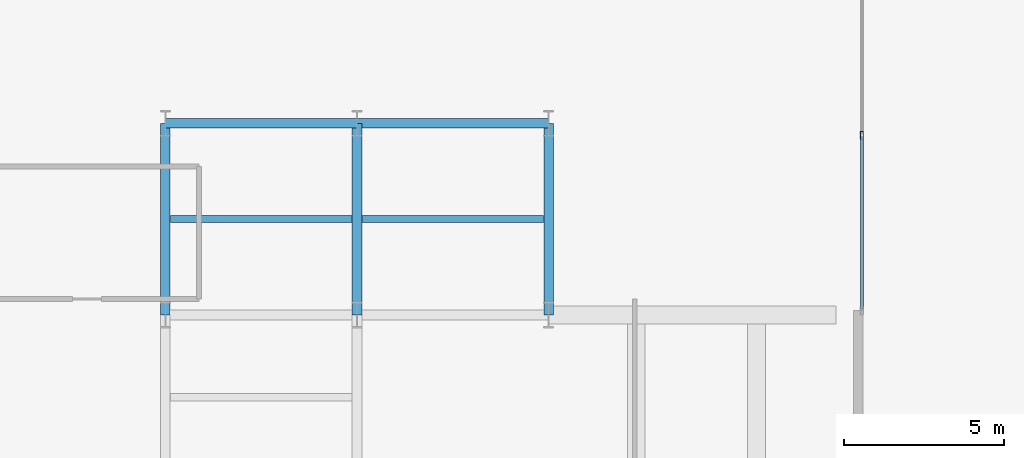
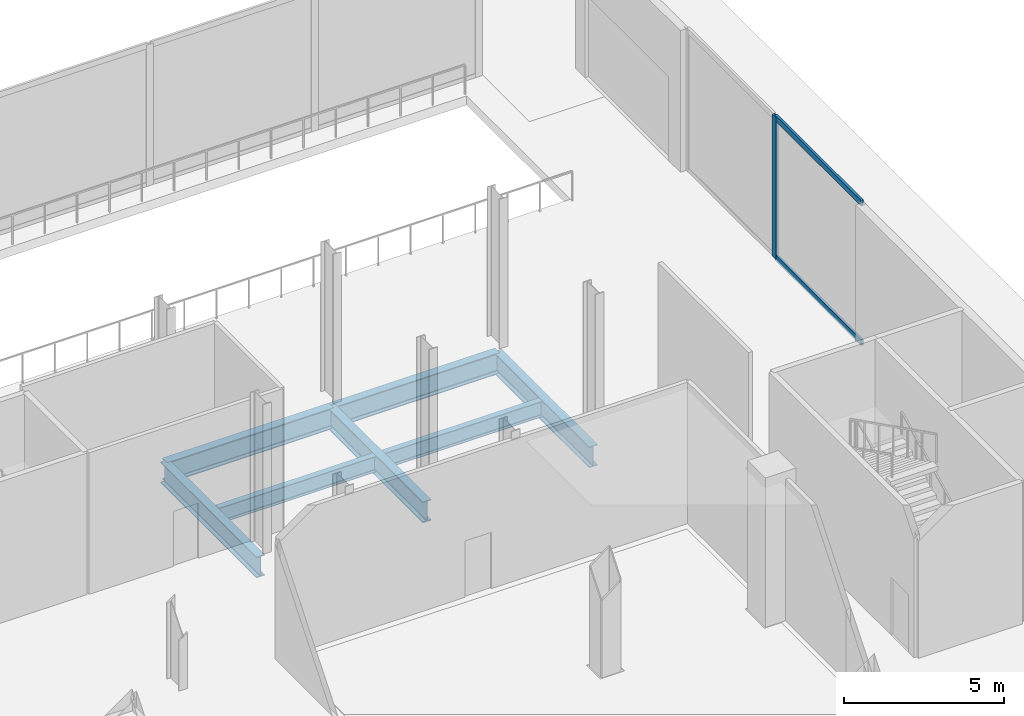
# One storey, part 13 of 27: 7 beams, 3 members, 1 element without a shape of its own.
"""IFC4 building model written with IfcOpenShell, lengths in metres."""

from ifc_helpers import new_model, si_unit, direction, frame, origin, origin_2d, place, context, subcontext, project, spatial, hollow_rectangle, i_section, extrude, material, layer, layer_set, material_profile, profile_set, type_object, element, aggregate, save


model = new_model("IFC4")

# Units and contexts
model_context = context("Model", 3, precision=1e-05, world=origin(), true_north=direction((0.0, 1.0)))
body_context = subcontext(model_context, "Body", "Model", "MODEL_VIEW")
ifc_project = project(units=[si_unit("LENGTHUNIT", "METRE"), si_unit("AREAUNIT", "SQUARE_METRE"), si_unit("VOLUMEUNIT", "CUBIC_METRE"), si_unit("PLANEANGLEUNIT", "RADIAN"), si_unit("MASSUNIT", "GRAM", prefix="KILO"), si_unit("THERMODYNAMICTEMPERATUREUNIT", "KELVIN"), si_unit("POWERUNIT", "WATT")], contexts=[model_context])

# Site, building, storey
site_placement = place(None, origin())
site = spatial("IfcSite", under=ifc_project, at=site_placement, CompositionType="ELEMENT")
building_placement = place(site_placement, origin())
building = spatial("IfcBuilding", under=site, at=building_placement, Name="Svarakhadi Broadcast Tower", CompositionType="ELEMENT")
storey_placement = place(building_placement, origin())
storey = spatial("IfcBuildingStorey", under=building, at=storey_placement, Name="L00", CompositionType="ELEMENT", Elevation=0.0)

# Beams
ifc_material_1 = material(Name="Steel S355J2 (IS 2062 E350C)", Category="steel")
ifc_material_profile_1 = material_profile(ifc_material_1, i_section(OverallWidth=0.219970703125, OverallDepth=0.60009765625, WebThickness=0.011962890625, FlangeThickness=0.01904296875, FilletRadius=0.02392578125, at=origin_2d()), Name="NPB 600x220x122")
ifc_profile_set_1 = profile_set([ifc_material_profile_1], Name="Steel S355J2 (IS 2062 E350C)")
beam_type_1 = type_object("IfcBeamType", Name="Beam_NPB600", PredefinedType="BEAM", material=ifc_profile_set_1)
for number, where, z_axis, x_axis, name in (
    (1, (41.31005859375, 32.14990234375, -0.64990234375), (1.0, 0.0, 0.0), (0.0, 1.0, 0.0), "L00 Secondary Composite Beam SB028"),
    (2, (47.31005859375, 32.14990234375, -0.64990234375), (1.0, 0.0, 0.0), (0.0, 1.0, 0.0), "L00 Secondary Composite Beam SB030"),
):
    element("IfcBeam", number, at=place(storey_placement, frame(where, z_axis=z_axis, x_axis=x_axis)), inside=storey, type_object=beam_type_1, Name=name, PredefinedType="BEAM", context=body_context, shape_type="SweptSolid", body=[
        extrude(i_section(OverallWidth=0.219970703125, OverallDepth=0.60009765625, WebThickness=0.011962890625, FlangeThickness=0.01904296875, FilletRadius=0.02392578125, at=origin_2d()), origin(), (0.0, 0.0, 1.0), 5.679931640625),
    ])

# Curtain wall, members
ifc_material_2 = material(Name="Anodised Bronze Aluminium AA 6063-T6", Category="aluminium")
ifc_layer = layer(ifc_material_2, 0.25)
ifc_layer_set = layer_set([ifc_layer], Name="Anodised Bronze Aluminium AA 6063-T6")
curtain_wall_type = type_object("IfcCurtainWallType", Name="CW_Sys_01", PredefinedType="NOTDEFINED", material=ifc_layer_set)
curtain_wall_placement = place(storey_placement, origin())
curtain_wall = element("IfcCurtainWall", 3, at=curtain_wall_placement, inside=storey, type_object=curtain_wall_type, Name="L00 Podium Glazed Curtain Wall 03", PredefinedType="NOTDEFINED")
ifc_material_profile_2 = material_profile(ifc_material_2, hollow_rectangle(XDim=0.094970703125, YDim=0.25, WallThickness=0.006103515625, at=origin_2d()), Name="ALU MULLION 250x95x6")
ifc_profile_set_2 = profile_set([ifc_material_profile_2], Name="Anodised Bronze Aluminium AA 6063-T6")
member_type_1 = type_object("IfcMemberType", Name="CW_Sys_01_Mul", PredefinedType="MULLION", material=ifc_profile_set_2)
member_1_placement = place(storey_placement, frame((62.9599609375, 34.77490234375, 0.0), z_axis=(0.0, 0.0, 1.0), x_axis=(1.0, 0.0, 0.0)))
member_1 = element("IfcMember", 4, at=member_1_placement, type_object=member_type_1, Name="CW-01 mullion 2", PredefinedType="MULLION", context=body_context, shape_type="SweptSolid", body=[
    extrude(hollow_rectangle(XDim=0.094970703125, YDim=0.25, WallThickness=0.006103515625, at=origin_2d()), origin(), (0.0, 0.0, 1.0), 5.39990234375),
])
ifc_material_profile_3 = material_profile(ifc_material_2, hollow_rectangle(XDim=0.0849609375, YDim=0.219970703125, WallThickness=0.0048828125, at=origin_2d()), Name="ALU TRANSOM 220x85x5")
ifc_profile_set_3 = profile_set([ifc_material_profile_3], Name="Anodised Bronze Aluminium AA 6063-T6")
member_type_2 = type_object("IfcMemberType", Name="CW_Sys_01_Trn", PredefinedType="USERDEFINED", material=ifc_profile_set_3)
member_2_placement = place(storey_placement, frame((62.9599609375, 34.7275390625, 0.04248046875), z_axis=(0.0, -1.0, 0.0), x_axis=(1.0, 0.0, 0.0)))
member_2 = element("IfcMember", 5, at=member_2_placement, type_object=member_type_2, Name="CW-01 transom 2.1", ObjectType="TRANSOM", PredefinedType="USERDEFINED", context=body_context, shape_type="SweptSolid", body=[
    extrude(hollow_rectangle(XDim=0.0849609375, YDim=0.219970703125, WallThickness=0.0048828125, at=origin_2d()), origin(), (0.0, 0.0, 1.0), 5.392578125),
])
member_3_placement = place(storey_placement, frame((62.9599609375, 34.7275390625, 5.357421875), z_axis=(0.0, -1.0, 0.0), x_axis=(1.0, 0.0, 0.0)))
member_3 = element("IfcMember", 6, at=member_3_placement, type_object=member_type_2, Name="CW-01 transom 2.2", ObjectType="TRANSOM", PredefinedType="USERDEFINED", context=body_context, shape_type="SweptSolid", body=[
    extrude(hollow_rectangle(XDim=0.0849609375, YDim=0.219970703125, WallThickness=0.0048828125, at=origin_2d()), origin(), (0.0, 0.0, 1.0), 5.392578125),
])
aggregate(curtain_wall, [member_1, member_2, member_3])

# Beams
ifc_material_profile_4 = material_profile(ifc_material_1, i_section(OverallWidth=0.300048828125, OverallDepth=0.800048828125, WebThickness=0.017578125, FlangeThickness=0.032958984375, FilletRadius=0.030029296875, at=origin_2d()), Name="WPB 800x300x262")
ifc_profile_set_4 = profile_set([ifc_material_profile_4], Name="Steel S355J2 (IS 2062 E350C)")
beam_type_2 = type_object("IfcBeamType", Name="Girder_WPB800", PredefinedType="USERDEFINED", material=ifc_profile_set_4)
for number, where, z_axis, x_axis, name in (
    (7, (41.14990234375, 35.14990234375, -0.75), (1.0, 0.0, 0.0), (0.0, 1.0, 0.0), "L00 Primary E-W Girder G038"),
    (8, (47.14990234375, 35.14990234375, -0.75), (1.0, 0.0, 0.0), (0.0, 1.0, 0.0), "L00 Primary E-W Girder G039"),
    (9, (41.14990234375, 29.14990234375, -0.75), (0.0, 1.0, 0.0), (-1.0, 0.0, 0.0), "L00 Primary N-S Girder G078"),
    (10, (47.14990234375, 29.14990234375, -0.75), (0.0, 1.0, 0.0), (-1.0, 0.0, 0.0), "L00 Primary N-S Girder G083"),
    (11, (53.14990234375, 29.14990234375, -0.75), (0.0, 1.0, 0.0), (-1.0, 0.0, 0.0), "L00 Primary N-S Girder G085"),
):
    element("IfcBeam", number, at=place(storey_placement, frame(where, z_axis=z_axis, x_axis=x_axis)), inside=storey, type_object=beam_type_2, Name=name, ObjectType="GIRDER", PredefinedType="USERDEFINED", context=body_context, shape_type="SweptSolid", body=[
        extrude(i_section(OverallWidth=0.300048828125, OverallDepth=0.800048828125, WebThickness=0.017578125, FlangeThickness=0.032958984375, FilletRadius=0.030029296875, at=origin_2d()), origin(), (0.0, 0.0, 1.0), 6.0),
    ])

save(model, "model.ifc")
